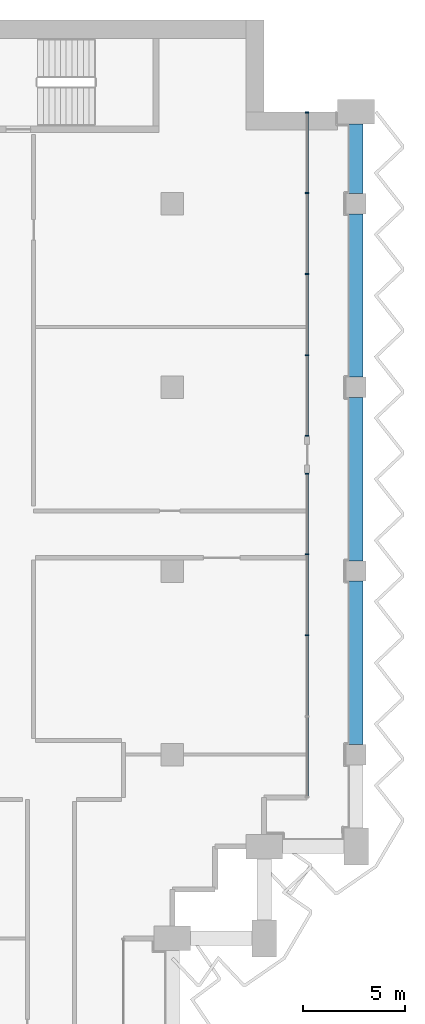
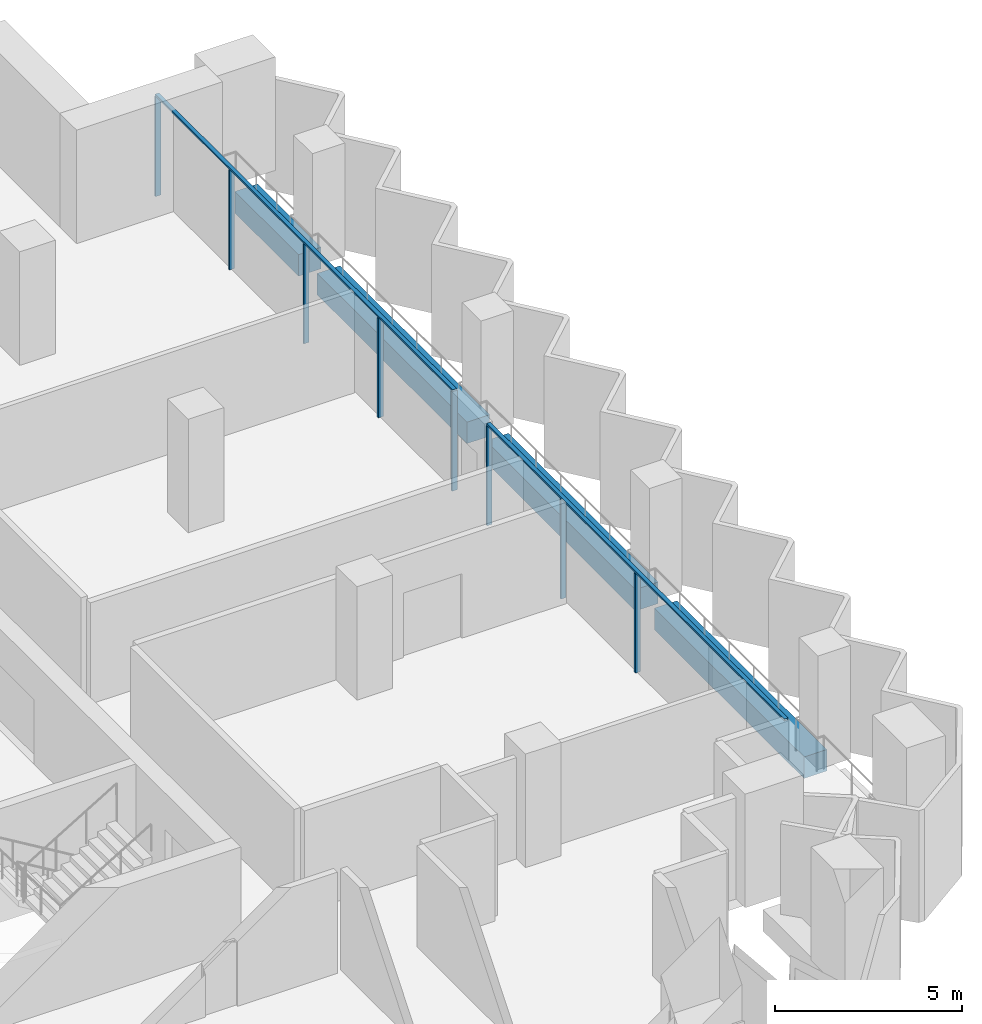
# One storey, part 6 of 19: 10 members, 4 beams, 2 elements without a shape of their own.
"""IFC4 building model written with IfcOpenShell, lengths in metres."""

from ifc_helpers import new_model, si_unit, direction, frame, origin, origin_2d, place, context, subcontext, project, spatial, rectangle, extrude, material, material_profile, profile_set, type_object, element, aggregate, save


model = new_model("IFC4")

# Units and contexts
model_context = context("Model", 3, precision=1e-05, world=origin(), true_north=direction((0.0, 1.0)))
body_context = subcontext(model_context, "Body", "Model", "MODEL_VIEW")
ifc_project = project(units=[si_unit("LENGTHUNIT", "METRE"), si_unit("AREAUNIT", "SQUARE_METRE"), si_unit("VOLUMEUNIT", "CUBIC_METRE"), si_unit("PLANEANGLEUNIT", "RADIAN"), si_unit("MASSUNIT", "GRAM", prefix="KILO")], contexts=[model_context])

# Site, building, storey
site_placement = place(None, origin())
site = spatial("IfcSite", under=ifc_project, at=site_placement, CompositionType="ELEMENT")
building_placement = place(site_placement, origin())
building = spatial("IfcBuilding", under=site, at=building_placement, Name="Hunhe Ridgeline Campus", CompositionType="ELEMENT")
storey_placement = place(building_placement, frame((0.0, 0.0, 216.10009765625)))
storey = spatial("IfcBuildingStorey", under=building, at=storey_placement, Name="L55", CompositionType="ELEMENT", Elevation=216.10009765625)

# Curtain wall, members
ifc_material_1 = material(Name="Aluminium 6063", Category="aluminium")
curtain_wall_type = type_object("IfcCurtainWallType", Name="Curtain wall CW-1", PredefinedType="NOTDEFINED", material=ifc_material_1)
curtain_wall_1_placement = place(storey_placement, origin())
curtain_wall_1 = element("IfcCurtainWall", 1, at=curtain_wall_1_placement, inside=storey, type_object=curtain_wall_type, Name="Curtain wall 12", PredefinedType="NOTDEFINED")
ifc_material_profile_1 = material_profile(ifc_material_1, rectangle(XDim=0.159912109375, YDim=0.06005859375, at=origin_2d()))
ifc_profile_set_1 = profile_set([ifc_material_profile_1], Name="Aluminium 6063")
member_type_1 = type_object("IfcMemberType", Name="CW-1 aluminium mullion", PredefinedType="MULLION", material=ifc_profile_set_1)
member_1_placement = place(storey_placement, frame((51.59912109375, 68.850830078125, 0.0), z_axis=(0.0, 0.0, 1.0), x_axis=(-1.0, 0.0, 0.0)))
member_1 = element("IfcMember", 2, at=member_1_placement, type_object=member_type_1, Name="CW-1 mullion 3", PredefinedType="MULLION", context=body_context, shape_type="SweptSolid", body=[
    extrude(rectangle(XDim=0.159912109375, YDim=0.06005859375, at=origin_2d()), origin(), (0.0, 0.0, 1.0), 3.239990234375),
])
member_2_placement = place(storey_placement, frame((51.59912109375, 72.82568359375, 0.0), z_axis=(0.0, 0.0, 1.0), x_axis=(-1.0, 0.0, 0.0)))
member_2 = element("IfcMember", 3, at=member_2_placement, type_object=member_type_1, Name="CW-1 mullion 4", PredefinedType="MULLION", context=body_context, shape_type="SweptSolid", body=[
    extrude(rectangle(XDim=0.159912109375, YDim=0.06005859375, at=origin_2d()), origin(), (0.0, 0.0, 1.0), 3.239990234375),
])
member_3_placement = place(storey_placement, frame((51.59912109375, 76.7705078125, 0.0), z_axis=(0.0, 0.0, 1.0), x_axis=(-1.0, 0.0, 0.0)))
member_3 = element("IfcMember", 4, at=member_3_placement, type_object=member_type_1, Name="CW-1 mullion 5", PredefinedType="MULLION", context=body_context, shape_type="SweptSolid", body=[
    extrude(rectangle(XDim=0.159912109375, YDim=0.06005859375, at=origin_2d()), origin(), (0.0, 0.0, 1.0), 3.239990234375),
])

curtain_wall_2_placement = place(storey_placement, origin())
curtain_wall_2 = element("IfcCurtainWall", 5, at=curtain_wall_2_placement, inside=storey, type_object=curtain_wall_type, Name="Curtain wall 13", PredefinedType="NOTDEFINED")
member_4_placement = place(storey_placement, frame((51.59912109375, 78.630615234375, 0.0), z_axis=(0.0, 0.0, 1.0), x_axis=(-1.0, 0.0, 0.0)))
member_4 = element("IfcMember", 6, at=member_4_placement, type_object=member_type_1, Name="CW-1 mullion 1", PredefinedType="MULLION", context=body_context, shape_type="SweptSolid", body=[
    extrude(rectangle(XDim=0.159912109375, YDim=0.06005859375, at=origin_2d()), origin(), (0.0, 0.0, 1.0), 3.239990234375),
])
member_5_placement = place(storey_placement, frame((51.59912109375, 82.575439453125, 0.0), z_axis=(0.0, 0.0, 1.0), x_axis=(-1.0, 0.0, 0.0)))
member_5 = element("IfcMember", 7, at=member_5_placement, type_object=member_type_1, Name="CW-1 mullion 2", PredefinedType="MULLION", context=body_context, shape_type="SweptSolid", body=[
    extrude(rectangle(XDim=0.159912109375, YDim=0.06005859375, at=origin_2d()), origin(), (0.0, 0.0, 1.0), 3.239990234375),
])
member_6_placement = place(storey_placement, frame((51.59912109375, 86.55029296875, 0.0), z_axis=(0.0, 0.0, 1.0), x_axis=(-1.0, 0.0, 0.0)))
member_6 = element("IfcMember", 8, at=member_6_placement, type_object=member_type_1, Name="CW-1 mullion 3", PredefinedType="MULLION", context=body_context, shape_type="SweptSolid", body=[
    extrude(rectangle(XDim=0.159912109375, YDim=0.06005859375, at=origin_2d()), origin(), (0.0, 0.0, 1.0), 3.239990234375),
])
member_7_placement = place(storey_placement, frame((51.59912109375, 90.525146484375, 0.0), z_axis=(0.0, 0.0, 1.0), x_axis=(-1.0, 0.0, 0.0)))
member_7 = element("IfcMember", 9, at=member_7_placement, type_object=member_type_1, Name="CW-1 mullion 4", PredefinedType="MULLION", context=body_context, shape_type="SweptSolid", body=[
    extrude(rectangle(XDim=0.159912109375, YDim=0.06005859375, at=origin_2d()), origin(), (0.0, 0.0, 1.0), 3.239990234375),
])
member_8_placement = place(storey_placement, frame((51.59912109375, 94.469970703125, 0.0), z_axis=(0.0, 0.0, 1.0), x_axis=(-1.0, 0.0, 0.0)))
member_8 = element("IfcMember", 10, at=member_8_placement, type_object=member_type_1, Name="CW-1 mullion 5", PredefinedType="MULLION", context=body_context, shape_type="SweptSolid", body=[
    extrude(rectangle(XDim=0.159912109375, YDim=0.06005859375, at=origin_2d()), origin(), (0.0, 0.0, 1.0), 3.239990234375),
])

# Member
ifc_material_profile_2 = material_profile(ifc_material_1, rectangle(XDim=0.1201171875, YDim=0.06005859375, at=origin_2d()))
ifc_profile_set_2 = profile_set([ifc_material_profile_2], Name="Aluminium 6063")
member_type_2 = type_object("IfcMemberType", Name="CW-1 aluminium transom", PredefinedType="USERDEFINED", material=ifc_profile_set_2)
member_9_placement = place(storey_placement, frame((51.59912109375, 60.90087890625, 3.27001953125), z_axis=(0.0, 1.0, 0.0), x_axis=(-1.0, 0.0, 0.0)))
member_9 = element("IfcMember", 11, at=member_9_placement, type_object=member_type_2, Name="CW-1 transom 1", ObjectType="TRANSOM", PredefinedType="USERDEFINED", context=body_context, shape_type="SweptSolid", body=[
    extrude(rectangle(XDim=0.1201171875, YDim=0.06005859375, at=origin_2d()), origin(), (0.0, 0.0, 1.0), 15.899658203125),
])

aggregate(curtain_wall_1, [member_9, member_1, member_2, member_3])

member_10_placement = place(storey_placement, frame((51.59912109375, 78.6005859375, 3.27001953125), z_axis=(0.0, 1.0, 0.0), x_axis=(-1.0, 0.0, 0.0)))
member_10 = element("IfcMember", 12, at=member_10_placement, type_object=member_type_2, Name="CW-1 transom 1", ObjectType="TRANSOM", PredefinedType="USERDEFINED", context=body_context, shape_type="SweptSolid", body=[
    extrude(rectangle(XDim=0.1201171875, YDim=0.06005859375, at=origin_2d()), origin(), (0.0, 0.0, 1.0), 15.8994140625),
])

aggregate(curtain_wall_2, [member_10, member_4, member_5, member_6, member_7, member_8])

# Beams
ifc_material_2 = material(Name="Concrete C50", Category="concrete")
ifc_material_profile_3 = material_profile(ifc_material_2, rectangle(XDim=0.699951171875, YDim=0.699951171875, at=origin_2d()))
ifc_profile_set_3 = profile_set([ifc_material_profile_3], Name="Concrete C50")
beam_type = type_object("IfcBeamType", Name="RC spandrel beam 700x700 Concrete C50", PredefinedType="SPANDREL", material=ifc_profile_set_3)
for number, where, z_axis, x_axis, name in (
    (13, (54.0, 63.5, -0.60009765625), (0.0, 1.0, 0.0), (-1.0, 0.0, 0.0), "Spandrel beam B3-15 L55"),
    (14, (54.0, 72.5, -0.60009765625), (0.0, 1.0, 0.0), (-1.0, 0.0, 0.0), "Spandrel beam B3-16 L55"),
    (15, (54.0, 81.5, -0.60009765625), (0.0, 1.0, 0.0), (-1.0, 0.0, 0.0), "Spandrel beam B3-17 L55"),
):
    element("IfcBeam", number, at=place(storey_placement, frame(where, z_axis=z_axis, x_axis=x_axis)), inside=storey, type_object=beam_type, Name=name, PredefinedType="SPANDREL", context=body_context, shape_type="SweptSolid", body=[
        extrude(rectangle(XDim=0.699951171875, YDim=0.699951171875, at=origin_2d()), origin(), (0.0, 0.0, 1.0), 8.0),
    ])
beam_placement = place(storey_placement, frame((54.0, 90.5, -0.60009765625), z_axis=(0.0, 1.0, 0.0), x_axis=(-1.0, 0.0, 0.0)))
element("IfcBeam", 16, at=beam_placement, inside=storey, type_object=beam_type, Name="Spandrel beam B3-18 L55", PredefinedType="SPANDREL", context=body_context, shape_type="SweptSolid", body=[
    extrude(rectangle(XDim=0.699951171875, YDim=0.699951171875, at=origin_2d()), origin(), (0.0, 0.0, 1.0), 3.39990234375),
])

save(model, "model.ifc")
